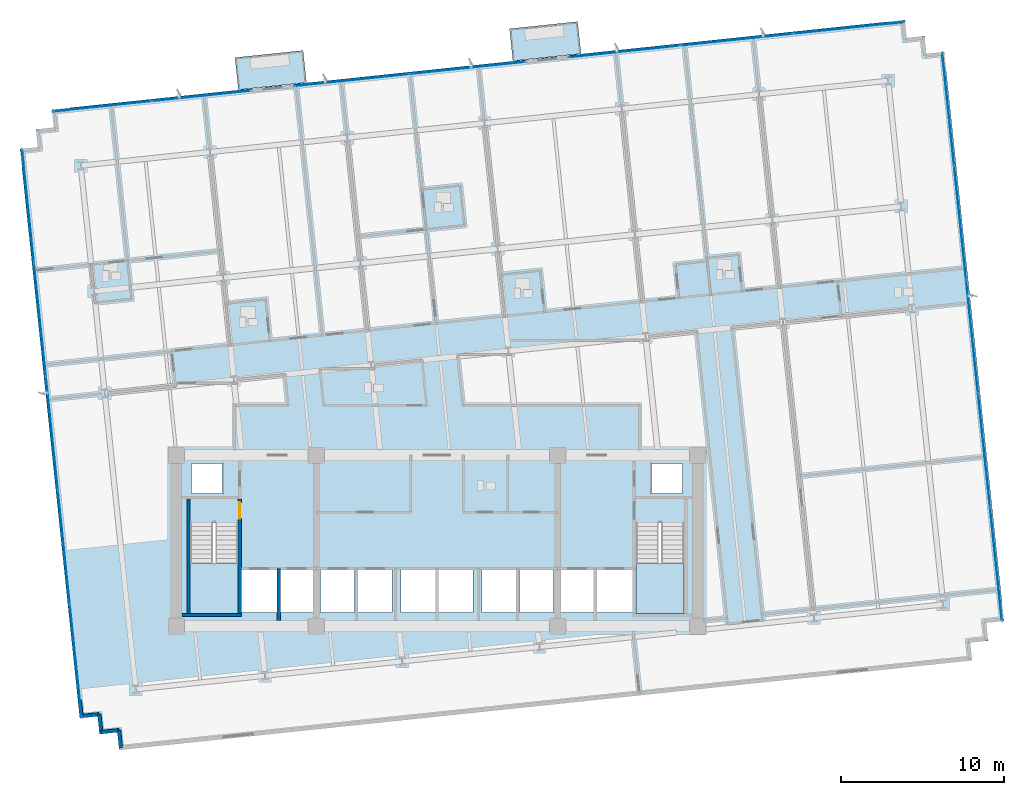
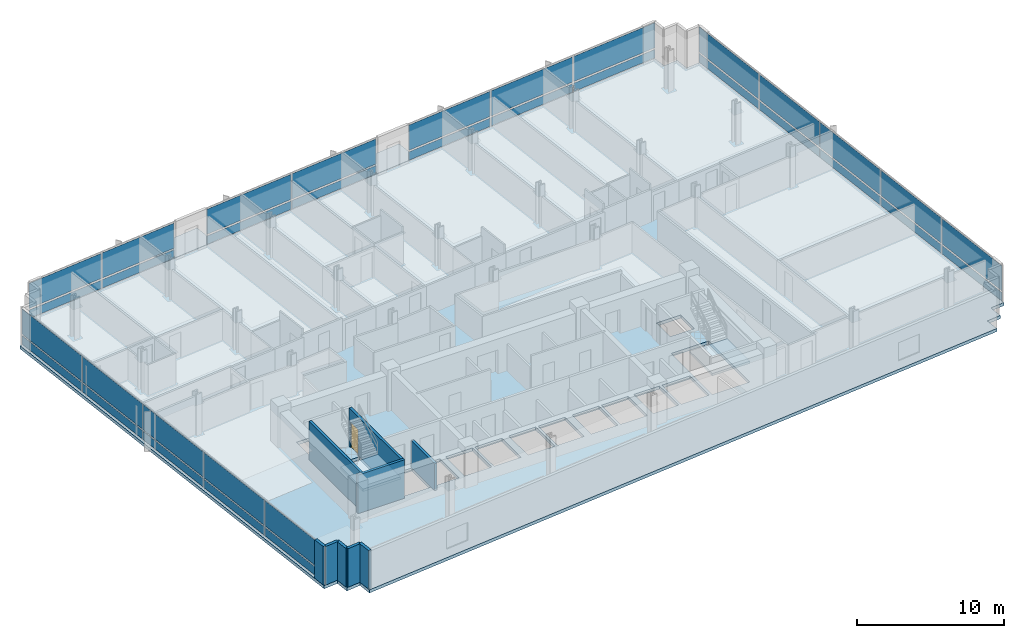
# One storey, part 9 of 19: 34 plates, 9 walls, 5 slabs, 1 door, 1 opening, 7 elements without a shape of their own.
"""IFC4 building model written with IfcOpenShell, lengths in metres."""

from ifc_helpers import new_model, si_unit, direction, frame, frame_2d, origin, origin_2d, place, context, subcontext, project, spatial, polyline, rectangle, outline, extrude, material, layer, layer_set, type_object, element, fill, aggregate, save


model = new_model("IFC4")

# Units and contexts
model_context = context("Model", 3, precision=1e-05, world=origin(), true_north=direction((0.0, 1.0)))
body_context = subcontext(model_context, "Body", "Model", "MODEL_VIEW")
ifc_project = project(units=[si_unit("LENGTHUNIT", "METRE"), si_unit("AREAUNIT", "SQUARE_METRE"), si_unit("VOLUMEUNIT", "CUBIC_METRE"), si_unit("PLANEANGLEUNIT", "RADIAN"), si_unit("MASSUNIT", "GRAM", prefix="KILO")], contexts=[model_context])

# Site, building, storey
site_placement = place(None, origin())
site = spatial("IfcSite", under=ifc_project, at=site_placement, CompositionType="ELEMENT")
building_placement = place(site_placement, origin())
building = spatial("IfcBuilding", under=site, at=building_placement, Name="Solmavex Isthmus Hotel", CompositionType="ELEMENT")
storey_placement = place(building_placement, frame((0.0, 0.0, 83.550048828125)))
storey = spatial("IfcBuildingStorey", under=building, at=storey_placement, Name="L22", CompositionType="ELEMENT", Elevation=83.550048828125)

# Curtain wall, plates
ifc_material_1 = material(Name="Aluminium alloy 6063-T6", Category="aluminium")
curtain_wall_type = type_object("IfcCurtainWallType", Name="CW-SYS-03", PredefinedType="NOTDEFINED", material=ifc_material_1)
curtain_wall_1_placement = place(storey_placement, origin())
curtain_wall_1 = element("IfcCurtainWall", 1, at=curtain_wall_1_placement, inside=storey, type_object=curtain_wall_type, Name="Stick Curtain Wall CWL-L22-N1", PredefinedType="NOTDEFINED")
ifc_material_2 = material(Name="Clear low-E laminated glass", Category="glass")
ifc_layer_1 = layer(ifc_material_2, 0.030029296875)
ifc_layer_set_1 = layer_set([ifc_layer_1], Name="Clear low-E laminated glass")
plate_type = type_object("IfcPlateType", Name="CW-SYS-03-PNL", PredefinedType="CURTAIN_PANEL", material=ifc_layer_set_1)
plate_1_placement = place(storey_placement, frame((-20.531982421875, 18.896728515625, 0.139892578125), z_axis=(0.0, 0.0, 1.0), x_axis=(0.994521931062, 0.104528123665, 0.0)))
plate_1 = element("IfcPlate", 2, at=plate_1_placement, type_object=plate_type, Name="CW-03 panel 1.1", PredefinedType="CURTAIN_PANEL", context=body_context, shape_type="SweptSolid", body=[
    extrude(rectangle(XDim=6.04541015625, YDim=0.030029296875, at=origin_2d()), origin(), (0.0, 0.0, 1.0), 0.68994140625),
])
plate_2_placement = place(storey_placement, frame((-20.531982421875, 18.896728515625, 0.969970703125), z_axis=(0.0, 0.0, 1.0), x_axis=(0.994521931062, 0.104528123665, 0.0)))
plate_2 = element("IfcPlate", 3, at=plate_2_placement, type_object=plate_type, Name="CW-03 panel 1.2", PredefinedType="CURTAIN_PANEL", context=body_context, shape_type="SweptSolid", body=[
    extrude(rectangle(XDim=6.04541015625, YDim=0.030029296875, at=origin_2d()), origin(), (0.0, 0.0, 1.0), 2.080078125),
])
plate_3_placement = place(storey_placement, frame((-14.449951171875, 19.535888671875, 0.139892578125), z_axis=(0.0, 0.0, 1.0), x_axis=(0.994521931062, 0.104528123665, 0.0)))
plate_3 = element("IfcPlate", 4, at=plate_3_placement, type_object=plate_type, Name="CW-03 panel 2.1", PredefinedType="CURTAIN_PANEL", context=body_context, shape_type="SweptSolid", body=[
    extrude(rectangle(XDim=6.04541015625, YDim=0.030029296875, at=origin_2d()), origin(), (0.0, 0.0, 1.0), 0.68994140625),
])
plate_4_placement = place(storey_placement, frame((-14.449951171875, 19.535888671875, 0.969970703125), z_axis=(0.0, 0.0, 1.0), x_axis=(0.994521931062, 0.104528123665, 0.0)))
plate_4 = element("IfcPlate", 5, at=plate_4_placement, type_object=plate_type, Name="CW-03 panel 2.2", PredefinedType="CURTAIN_PANEL", context=body_context, shape_type="SweptSolid", body=[
    extrude(rectangle(XDim=6.04541015625, YDim=0.030029296875, at=origin_2d()), origin(), (0.0, 0.0, 1.0), 2.080078125),
])
aggregate(curtain_wall_1, [plate_1, plate_2, plate_3, plate_4])

curtain_wall_2_placement = place(storey_placement, origin())
curtain_wall_2 = element("IfcCurtainWall", 6, at=curtain_wall_2_placement, inside=storey, type_object=curtain_wall_type, Name="Stick Curtain Wall CWL-L22-N2", PredefinedType="NOTDEFINED")
plate_5_placement = place(storey_placement, frame((-5.207763671875, 20.50732421875, 0.139892578125), z_axis=(0.0, 0.0, 1.0), x_axis=(0.994521911082, 0.104528313766, 0.0)))
plate_5 = element("IfcPlate", 7, at=plate_5_placement, type_object=plate_type, Name="CW-03 panel 1.1", PredefinedType="CURTAIN_PANEL", context=body_context, shape_type="SweptSolid", body=[
    extrude(rectangle(XDim=7.06103515625, YDim=0.030029296875, at=origin_2d()), origin(), (0.0, 0.0, 1.0), 0.68994140625),
])
plate_6_placement = place(storey_placement, frame((-5.207763671875, 20.50732421875, 0.969970703125), z_axis=(0.0, 0.0, 1.0), x_axis=(0.994521911082, 0.104528313766, 0.0)))
plate_6 = element("IfcPlate", 8, at=plate_6_placement, type_object=plate_type, Name="CW-03 panel 1.2", PredefinedType="CURTAIN_PANEL", context=body_context, shape_type="SweptSolid", body=[
    extrude(rectangle(XDim=7.06103515625, YDim=0.030029296875, at=origin_2d()), origin(), (0.0, 0.0, 1.0), 2.080078125),
])
plate_7_placement = place(storey_placement, frame((1.88427734375, 21.252685546875, 0.139892578125), z_axis=(0.0, 0.0, 1.0), x_axis=(0.994521911082, 0.104528313766, 0.0)))
plate_7 = element("IfcPlate", 9, at=plate_7_placement, type_object=plate_type, Name="CW-03 panel 2.1", PredefinedType="CURTAIN_PANEL", context=body_context, shape_type="SweptSolid", body=[
    extrude(rectangle(XDim=7.06103515625, YDim=0.030029296875, at=origin_2d()), origin(), (0.0, 0.0, 1.0), 0.68994140625),
])
plate_8_placement = place(storey_placement, frame((1.88427734375, 21.252685546875, 0.969970703125), z_axis=(0.0, 0.0, 1.0), x_axis=(0.994521911082, 0.104528313766, 0.0)))
plate_8 = element("IfcPlate", 10, at=plate_8_placement, type_object=plate_type, Name="CW-03 panel 2.2", PredefinedType="CURTAIN_PANEL", context=body_context, shape_type="SweptSolid", body=[
    extrude(rectangle(XDim=7.06103515625, YDim=0.030029296875, at=origin_2d()), origin(), (0.0, 0.0, 1.0), 2.080078125),
])
aggregate(curtain_wall_2, [plate_5, plate_6, plate_7, plate_8])

curtain_wall_3_placement = place(storey_placement, origin())
curtain_wall_3 = element("IfcCurtainWall", 11, at=curtain_wall_3_placement, inside=storey, type_object=curtain_wall_type, Name="Stick Curtain Wall CWL-L22-N3", PredefinedType="NOTDEFINED")
plate_9_placement = place(storey_placement, frame((11.510498046875, 22.264404296875, 0.139892578125), z_axis=(0.0, 0.0, 1.0), x_axis=(0.994521905105, 0.10452837063, 0.0)))
plate_9 = element("IfcPlate", 12, at=plate_9_placement, type_object=plate_type, Name="CW-03 panel 1.1", PredefinedType="CURTAIN_PANEL", context=body_context, shape_type="SweptSolid", body=[
    extrude(rectangle(XDim=6.8173828125, YDim=0.030029296875, at=origin_2d()), origin(), (0.0, 0.0, 1.0), 0.68994140625),
])
plate_10_placement = place(storey_placement, frame((11.510498046875, 22.264404296875, 0.969970703125), z_axis=(0.0, 0.0, 1.0), x_axis=(0.994521905105, 0.10452837063, 0.0)))
plate_10 = element("IfcPlate", 13, at=plate_10_placement, type_object=plate_type, Name="CW-03 panel 1.2", PredefinedType="CURTAIN_PANEL", context=body_context, shape_type="SweptSolid", body=[
    extrude(rectangle(XDim=6.8173828125, YDim=0.030029296875, at=origin_2d()), origin(), (0.0, 0.0, 1.0), 2.080078125),
])
plate_11_placement = place(storey_placement, frame((18.37744140625, 22.986083984375, 0.139892578125), z_axis=(0.0, 0.0, 1.0), x_axis=(0.994521905105, 0.10452837063, 0.0)))
plate_11 = element("IfcPlate", 14, at=plate_11_placement, type_object=plate_type, Name="CW-03 panel 2.1", PredefinedType="CURTAIN_PANEL", context=body_context, shape_type="SweptSolid", body=[
    extrude(rectangle(XDim=6.852294921875, YDim=0.030029296875, at=origin_2d()), origin(), (0.0, 0.0, 1.0), 0.68994140625),
])
plate_12_placement = place(storey_placement, frame((18.37744140625, 22.986083984375, 0.969970703125), z_axis=(0.0, 0.0, 1.0), x_axis=(0.994521905105, 0.10452837063, 0.0)))
plate_12 = element("IfcPlate", 15, at=plate_12_placement, type_object=plate_type, Name="CW-03 panel 2.2", PredefinedType="CURTAIN_PANEL", context=body_context, shape_type="SweptSolid", body=[
    extrude(rectangle(XDim=6.852294921875, YDim=0.030029296875, at=origin_2d()), origin(), (0.0, 0.0, 1.0), 2.080078125),
])
plate_13_placement = place(storey_placement, frame((25.244384765625, 23.7080078125, 0.139892578125), z_axis=(0.0, 0.0, 1.0), x_axis=(0.994521905105, 0.10452837063, 0.0)))
plate_13 = element("IfcPlate", 16, at=plate_13_placement, type_object=plate_type, Name="CW-03 panel 3.1", PredefinedType="CURTAIN_PANEL", context=body_context, shape_type="SweptSolid", body=[
    extrude(rectangle(XDim=6.8173828125, YDim=0.030029296875, at=origin_2d()), origin(), (0.0, 0.0, 1.0), 0.68994140625),
])
plate_14_placement = place(storey_placement, frame((25.244384765625, 23.7080078125, 0.969970703125), z_axis=(0.0, 0.0, 1.0), x_axis=(0.994521905105, 0.10452837063, 0.0)))
plate_14 = element("IfcPlate", 17, at=plate_14_placement, type_object=plate_type, Name="CW-03 panel 3.2", PredefinedType="CURTAIN_PANEL", context=body_context, shape_type="SweptSolid", body=[
    extrude(rectangle(XDim=6.8173828125, YDim=0.030029296875, at=origin_2d()), origin(), (0.0, 0.0, 1.0), 2.080078125),
])
aggregate(curtain_wall_3, [plate_9, plate_10, plate_11, plate_12, plate_13, plate_14])

curtain_wall_4_placement = place(storey_placement, origin())
curtain_wall_4 = element("IfcCurtainWall", 18, at=curtain_wall_4_placement, inside=storey, type_object=curtain_wall_type, Name="Stick Curtain Wall CWL-L22-W1", PredefinedType="NOTDEFINED")
plate_15_placement = place(storey_placement, frame((-22.15869140625, -15.1123046875, 0.139892578125), z_axis=(0.0, 0.0, 1.0), x_axis=(-0.104528485381, 0.994521893044, 0.0)))
plate_15 = element("IfcPlate", 19, at=plate_15_placement, type_object=plate_type, Name="CW-03 panel 1.1", PredefinedType="CURTAIN_PANEL", context=body_context, shape_type="SweptSolid", body=[
    extrude(rectangle(XDim=6.9150390625, YDim=0.030029296875, at=origin_2d()), origin(), (0.0, 0.0, 1.0), 0.68994140625),
])
plate_16_placement = place(storey_placement, frame((-22.15869140625, -15.1123046875, 0.969970703125), z_axis=(0.0, 0.0, 1.0), x_axis=(-0.104528485381, 0.994521893044, 0.0)))
plate_16 = element("IfcPlate", 20, at=plate_16_placement, type_object=plate_type, Name="CW-03 panel 1.2", PredefinedType="CURTAIN_PANEL", context=body_context, shape_type="SweptSolid", body=[
    extrude(rectangle(XDim=6.9150390625, YDim=0.030029296875, at=origin_2d()), origin(), (0.0, 0.0, 1.0), 2.080078125),
])
plate_17_placement = place(storey_placement, frame((-22.890625, -8.14794921875, 0.139892578125), z_axis=(0.0, 0.0, 1.0), x_axis=(-0.104528485381, 0.994521893044, 0.0)))
plate_17 = element("IfcPlate", 21, at=plate_17_placement, type_object=plate_type, Name="CW-03 panel 2.1", PredefinedType="CURTAIN_PANEL", context=body_context, shape_type="SweptSolid", body=[
    extrude(rectangle(XDim=6.949951171875, YDim=0.030029296875, at=origin_2d()), origin(), (0.0, 0.0, 1.0), 0.68994140625),
])
plate_18_placement = place(storey_placement, frame((-22.890625, -8.14794921875, 0.969970703125), z_axis=(0.0, 0.0, 1.0), x_axis=(-0.104528485381, 0.994521893044, 0.0)))
plate_18 = element("IfcPlate", 22, at=plate_18_placement, type_object=plate_type, Name="CW-03 panel 2.2", PredefinedType="CURTAIN_PANEL", context=body_context, shape_type="SweptSolid", body=[
    extrude(rectangle(XDim=6.949951171875, YDim=0.030029296875, at=origin_2d()), origin(), (0.0, 0.0, 1.0), 2.080078125),
])
plate_19_placement = place(storey_placement, frame((-23.62451171875, -1.16650390625, 0.139892578125), z_axis=(0.0, 0.0, 1.0), x_axis=(-0.104528485381, 0.994521893044, 0.0)))
plate_19 = element("IfcPlate", 23, at=plate_19_placement, type_object=plate_type, Name="CW-03 panel 3.1", PredefinedType="CURTAIN_PANEL", context=body_context, shape_type="SweptSolid", body=[
    extrude(rectangle(XDim=6.949951171875, YDim=0.030029296875, at=origin_2d()), origin(), (0.0, 0.0, 1.0), 0.68994140625),
])
plate_20_placement = place(storey_placement, frame((-23.62451171875, -1.16650390625, 0.969970703125), z_axis=(0.0, 0.0, 1.0), x_axis=(-0.104528485381, 0.994521893044, 0.0)))
plate_20 = element("IfcPlate", 24, at=plate_20_placement, type_object=plate_type, Name="CW-03 panel 3.2", PredefinedType="CURTAIN_PANEL", context=body_context, shape_type="SweptSolid", body=[
    extrude(rectangle(XDim=6.949951171875, YDim=0.030029296875, at=origin_2d()), origin(), (0.0, 0.0, 1.0), 2.080078125),
])
plate_21_placement = place(storey_placement, frame((-24.3583984375, 5.81494140625, 0.139892578125), z_axis=(0.0, 0.0, 1.0), x_axis=(-0.104528485381, 0.994521893044, 0.0)))
plate_21 = element("IfcPlate", 25, at=plate_21_placement, type_object=plate_type, Name="CW-03 panel 4.1", PredefinedType="CURTAIN_PANEL", context=body_context, shape_type="SweptSolid", body=[
    extrude(rectangle(XDim=6.949951171875, YDim=0.030029296875, at=origin_2d()), origin(), (0.0, 0.0, 1.0), 0.68994140625),
])
plate_22_placement = place(storey_placement, frame((-24.3583984375, 5.81494140625, 0.969970703125), z_axis=(0.0, 0.0, 1.0), x_axis=(-0.104528485381, 0.994521893044, 0.0)))
plate_22 = element("IfcPlate", 26, at=plate_22_placement, type_object=plate_type, Name="CW-03 panel 4.2", PredefinedType="CURTAIN_PANEL", context=body_context, shape_type="SweptSolid", body=[
    extrude(rectangle(XDim=6.949951171875, YDim=0.030029296875, at=origin_2d()), origin(), (0.0, 0.0, 1.0), 2.080078125),
])
plate_23_placement = place(storey_placement, frame((-25.09033203125, 12.779052734375, 0.139892578125), z_axis=(0.0, 0.0, 1.0), x_axis=(-0.104528485381, 0.994521893044, 0.0)))
plate_23 = element("IfcPlate", 27, at=plate_23_placement, type_object=plate_type, Name="CW-03 panel 5.1", PredefinedType="CURTAIN_PANEL", context=body_context, shape_type="SweptSolid", body=[
    extrude(rectangle(XDim=6.9150390625, YDim=0.030029296875, at=origin_2d()), origin(), (0.0, 0.0, 1.0), 0.68994140625),
])
plate_24_placement = place(storey_placement, frame((-25.09033203125, 12.779052734375, 0.969970703125), z_axis=(0.0, 0.0, 1.0), x_axis=(-0.104528485381, 0.994521893044, 0.0)))
plate_24 = element("IfcPlate", 28, at=plate_24_placement, type_object=plate_type, Name="CW-03 panel 5.2", PredefinedType="CURTAIN_PANEL", context=body_context, shape_type="SweptSolid", body=[
    extrude(rectangle(XDim=6.9150390625, YDim=0.030029296875, at=origin_2d()), origin(), (0.0, 0.0, 1.0), 2.080078125),
])
aggregate(curtain_wall_4, [plate_15, plate_16, plate_17, plate_18, plate_19, plate_20, plate_21, plate_22, plate_23, plate_24])

curtain_wall_5_placement = place(storey_placement, origin())
curtain_wall_5 = element("IfcCurtainWall", 29, at=curtain_wall_5_placement, inside=storey, type_object=curtain_wall_type, Name="Stick Curtain Wall CWL-L22-E1", PredefinedType="NOTDEFINED")
plate_25_placement = place(storey_placement, frame((34.290283203125, -9.17919921875, 0.139892578125), z_axis=(0.0, 0.0, 1.0), x_axis=(-0.104528485381, 0.994521893044, 0.0)))
plate_25 = element("IfcPlate", 30, at=plate_25_placement, type_object=plate_type, Name="CW-03 panel 1.1", PredefinedType="CURTAIN_PANEL", context=body_context, shape_type="SweptSolid", body=[
    extrude(rectangle(XDim=6.9150390625, YDim=0.030029296875, at=origin_2d()), origin(), (0.0, 0.0, 1.0), 0.68994140625),
])
plate_26_placement = place(storey_placement, frame((34.290283203125, -9.17919921875, 0.969970703125), z_axis=(0.0, 0.0, 1.0), x_axis=(-0.104528485381, 0.994521893044, 0.0)))
plate_26 = element("IfcPlate", 31, at=plate_26_placement, type_object=plate_type, Name="CW-03 panel 1.2", PredefinedType="CURTAIN_PANEL", context=body_context, shape_type="SweptSolid", body=[
    extrude(rectangle(XDim=6.9150390625, YDim=0.030029296875, at=origin_2d()), origin(), (0.0, 0.0, 1.0), 2.080078125),
])
plate_27_placement = place(storey_placement, frame((33.558349609375, -2.215087890625, 0.139892578125), z_axis=(0.0, 0.0, 1.0), x_axis=(-0.104528485381, 0.994521893044, 0.0)))
plate_27 = element("IfcPlate", 32, at=plate_27_placement, type_object=plate_type, Name="CW-03 panel 2.1", PredefinedType="CURTAIN_PANEL", context=body_context, shape_type="SweptSolid", body=[
    extrude(rectangle(XDim=6.949951171875, YDim=0.030029296875, at=origin_2d()), origin(), (0.0, 0.0, 1.0), 0.68994140625),
])
plate_28_placement = place(storey_placement, frame((33.558349609375, -2.215087890625, 0.969970703125), z_axis=(0.0, 0.0, 1.0), x_axis=(-0.104528485381, 0.994521893044, 0.0)))
plate_28 = element("IfcPlate", 33, at=plate_28_placement, type_object=plate_type, Name="CW-03 panel 2.2", PredefinedType="CURTAIN_PANEL", context=body_context, shape_type="SweptSolid", body=[
    extrude(rectangle(XDim=6.949951171875, YDim=0.030029296875, at=origin_2d()), origin(), (0.0, 0.0, 1.0), 2.080078125),
])
plate_29_placement = place(storey_placement, frame((32.824462890625, 4.7666015625, 0.139892578125), z_axis=(0.0, 0.0, 1.0), x_axis=(-0.104528485381, 0.994521893044, 0.0)))
plate_29 = element("IfcPlate", 34, at=plate_29_placement, type_object=plate_type, Name="CW-03 panel 3.1", PredefinedType="CURTAIN_PANEL", context=body_context, shape_type="SweptSolid", body=[
    extrude(rectangle(XDim=6.949951171875, YDim=0.030029296875, at=origin_2d()), origin(), (0.0, 0.0, 1.0), 0.68994140625),
])
plate_30_placement = place(storey_placement, frame((32.824462890625, 4.7666015625, 0.969970703125), z_axis=(0.0, 0.0, 1.0), x_axis=(-0.104528485381, 0.994521893044, 0.0)))
plate_30 = element("IfcPlate", 35, at=plate_30_placement, type_object=plate_type, Name="CW-03 panel 3.2", PredefinedType="CURTAIN_PANEL", context=body_context, shape_type="SweptSolid", body=[
    extrude(rectangle(XDim=6.949951171875, YDim=0.030029296875, at=origin_2d()), origin(), (0.0, 0.0, 1.0), 2.080078125),
])
plate_31_placement = place(storey_placement, frame((32.0908203125, 11.748046875, 0.139892578125), z_axis=(0.0, 0.0, 1.0), x_axis=(-0.104528485381, 0.994521893044, 0.0)))
plate_31 = element("IfcPlate", 36, at=plate_31_placement, type_object=plate_type, Name="CW-03 panel 4.1", PredefinedType="CURTAIN_PANEL", context=body_context, shape_type="SweptSolid", body=[
    extrude(rectangle(XDim=6.949951171875, YDim=0.030029296875, at=origin_2d()), origin(), (0.0, 0.0, 1.0), 0.68994140625),
])
plate_32_placement = place(storey_placement, frame((32.0908203125, 11.748046875, 0.969970703125), z_axis=(0.0, 0.0, 1.0), x_axis=(-0.104528485381, 0.994521893044, 0.0)))
plate_32 = element("IfcPlate", 37, at=plate_32_placement, type_object=plate_type, Name="CW-03 panel 4.2", PredefinedType="CURTAIN_PANEL", context=body_context, shape_type="SweptSolid", body=[
    extrude(rectangle(XDim=6.949951171875, YDim=0.030029296875, at=origin_2d()), origin(), (0.0, 0.0, 1.0), 2.080078125),
])
plate_33_placement = place(storey_placement, frame((31.35888671875, 18.712158203125, 0.139892578125), z_axis=(0.0, 0.0, 1.0), x_axis=(-0.104528485381, 0.994521893044, 0.0)))
plate_33 = element("IfcPlate", 38, at=plate_33_placement, type_object=plate_type, Name="CW-03 panel 5.1", PredefinedType="CURTAIN_PANEL", context=body_context, shape_type="SweptSolid", body=[
    extrude(rectangle(XDim=6.9150390625, YDim=0.030029296875, at=origin_2d()), origin(), (0.0, 0.0, 1.0), 0.68994140625),
])
plate_34_placement = place(storey_placement, frame((31.35888671875, 18.712158203125, 0.969970703125), z_axis=(0.0, 0.0, 1.0), x_axis=(-0.104528485381, 0.994521893044, 0.0)))
plate_34 = element("IfcPlate", 39, at=plate_34_placement, type_object=plate_type, Name="CW-03 panel 5.2", PredefinedType="CURTAIN_PANEL", context=body_context, shape_type="SweptSolid", body=[
    extrude(rectangle(XDim=6.9150390625, YDim=0.030029296875, at=origin_2d()), origin(), (0.0, 0.0, 1.0), 2.080078125),
])
aggregate(curtain_wall_5, [plate_25, plate_26, plate_27, plate_28, plate_29, plate_30, plate_31, plate_32, plate_33, plate_34])

# Slabs
ifc_material_3 = material(Name="Concrete C40/50", Category="concrete")
ifc_layer_2 = layer(ifc_material_3, 0.239990234375)
ifc_layer_set_2 = layer_set([ifc_layer_2], Name="Concrete C40/50")
slab_type_1 = type_object("IfcSlabType", Name="SLAB-BALC-240", PredefinedType="FLOOR", material=ifc_layer_set_2)
slab_1_placement = place(storey_placement, frame((0.0, 0.0, -0.239990234375)))
element("IfcSlab", 40, at=slab_1_placement, inside=storey, type_object=slab_type_1, Name="Tree-Planter Balcony Slab L22-B1", PredefinedType="FLOOR", context=body_context, shape_type="SweptSolid", body=[
    extrude(outline(polyline([(-12.183837890625, 19.909912109375), (-8.0068359375, 20.348876953125), (-8.21435546875, 22.322998046875), (-12.391357421875, 21.884033203125), (-12.183837890625, 19.909912109375)])), origin(), (0.0, 0.0, 1.0), 0.239990234375),
])
slab_2_placement = place(storey_placement, frame((0.0, 0.0, -0.239990234375)))
element("IfcSlab", 41, at=slab_2_placement, inside=storey, type_object=slab_type_1, Name="Tree-Planter Balcony Slab L22-B2", PredefinedType="FLOOR", context=body_context, shape_type="SweptSolid", body=[
    extrude(outline(polyline([(4.6552734375, 21.6796875), (8.832275390625, 22.11865234375), (8.624755859375, 24.0927734375), (4.44775390625, 23.65380859375), (4.6552734375, 21.6796875)])), origin(), (0.0, 0.0, 1.0), 0.239990234375),
])
ifc_layer_3 = layer(ifc_material_3, 0.260009765625)
ifc_layer_set_3 = layer_set([ifc_layer_3], Name="Concrete C40/50")
slab_type_2 = type_object("IfcSlabType", Name="SLAB-TYP-260", PredefinedType="FLOOR", material=ifc_layer_set_3)
slab_3_placement = place(storey_placement, frame((0.0, 0.0, -0.260009765625)))
element("IfcSlab", 42, at=slab_3_placement, inside=storey, type_object=slab_type_2, Name="Tower Structural Floor Slab L22", PredefinedType="FLOOR", context=body_context, shape_type="SweptSolid", body=[
    extrude(outline(polyline([(-18.3974609375, -20.475830078125), (31.726318359375, -15.207763671875), (32.8203125, -15.0927734375), (32.705322265625, -13.998779296875), (33.79931640625, -13.8837890625), (33.684326171875, -12.789794921875), (34.7783203125, -12.6748046875), (34.663330078125, -11.580810546875), (31.224365234375, 21.138916015625), (31.109375, 22.23291015625), (30.015380859375, 22.117919921875), (29.900390625, 23.2119140625), (28.806396484375, 23.096923828125), (28.69140625, 24.19091796875), (27.597412109375, 24.075927734375), (-22.5263671875, 18.8076171875), (-23.620361328125, 18.692626953125), (-23.50537109375, 17.5986328125), (-24.599365234375, 17.483642578125), (-24.484375, 16.389892578125), (-25.578369140625, 16.27490234375), (-25.46337890625, 15.180908203125), (-22.0244140625, -17.5390625), (-21.909423828125, -18.6328125), (-20.8154296875, -18.517822265625), (-20.700439453125, -19.61181640625), (-19.6064453125, -19.496826171875), (-19.491455078125, -20.5908203125), (-18.3974609375, -20.475830078125)]), holes=[polyline([(-15.14990234375, -6.617919921875), (-15.14990234375, -12.199951171875), (-12.199951171875, -12.199951171875), (-12.199951171875, -6.617919921875), (-15.14990234375, -6.617919921875)]), polyline([(12.199951171875, -6.617919921875), (12.199951171875, -12.199951171875), (15.14990234375, -12.199951171875), (15.14990234375, -6.617919921875), (12.199951171875, -6.617919921875)]), polyline([(-12.0, -12.14990234375), (-9.800048828125, -12.14990234375), (-9.800048828125, -9.550048828125), (-12.0, -9.550048828125), (-12.0, -12.14990234375)]), polyline([(9.800048828125, -12.14990234375), (12.0, -12.14990234375), (12.0, -9.550048828125), (9.800048828125, -9.550048828125), (9.800048828125, -12.14990234375)]), polyline([(-9.60009765625, -12.14990234375), (-7.60009765625, -12.14990234375), (-7.60009765625, -9.550048828125), (-9.60009765625, -9.550048828125), (-9.60009765625, -12.14990234375)]), polyline([(7.60009765625, -12.14990234375), (9.60009765625, -12.14990234375), (9.60009765625, -9.550048828125), (7.60009765625, -9.550048828125), (7.60009765625, -12.14990234375)]), polyline([(-7.14990234375, -12.14990234375), (-5.050048828125, -12.14990234375), (-5.050048828125, -9.550048828125), (-7.14990234375, -9.550048828125), (-7.14990234375, -12.14990234375)]), polyline([(-4.85009765625, -12.14990234375), (-2.75, -12.14990234375), (-2.75, -9.550048828125), (-4.85009765625, -9.550048828125), (-4.85009765625, -12.14990234375)]), polyline([(-2.199951171875, -12.14990234375), (-0.10009765625, -12.14990234375), (-0.10009765625, -9.550048828125), (-2.199951171875, -9.550048828125), (-2.199951171875, -12.14990234375)]), polyline([(0.10009765625, -12.14990234375), (2.199951171875, -12.14990234375), (2.199951171875, -9.550048828125), (0.10009765625, -9.550048828125), (0.10009765625, -12.14990234375)]), polyline([(2.75, -12.14990234375), (4.85009765625, -12.14990234375), (4.85009765625, -9.550048828125), (2.75, -9.550048828125), (2.75, -12.14990234375)]), polyline([(5.050048828125, -12.14990234375), (7.14990234375, -12.14990234375), (7.14990234375, -9.550048828125), (5.050048828125, -9.550048828125), (5.050048828125, -12.14990234375)]), polyline([(-15.050048828125, -4.85009765625), (-13.14990234375, -4.85009765625), (-13.14990234375, -3.0), (-15.050048828125, -3.0), (-15.050048828125, -4.85009765625)]), polyline([(13.14990234375, -4.85009765625), (15.050048828125, -4.85009765625), (15.050048828125, -3.0), (13.14990234375, -3.0), (13.14990234375, -4.85009765625)])]), origin(), (0.0, 0.0, 1.0), 0.260009765625),
])

# Stair, slab
stair_type_1 = type_object("IfcStairType", Name="STR-ST-1", PredefinedType="HALF_TURN_STAIR", material=ifc_material_3)
stair_1_placement = place(storey_placement, origin())
stair_1 = element("IfcStair", 43, at=stair_1_placement, inside=storey, type_object=stair_type_1, Name="L22 Protected Exit Stair ST-1", PredefinedType="HALF_TURN_STAIR")
ifc_layer_4 = layer(ifc_material_3, 0.219970703125)
ifc_layer_set_4 = layer_set([ifc_layer_4], Name="Concrete C40/50")
slab_type_3 = type_object("IfcSlabType", Name="SLD-ST-1", PredefinedType="LANDING", material=ifc_layer_set_4)
slab_4_placement = place(storey_placement, frame((0.0, 0.0, 1.52490234375)))
slab_4 = element("IfcSlab", 44, at=slab_4_placement, type_object=slab_type_3, Name="ST-1 landing 1", PredefinedType="LANDING", context=body_context, shape_type="SweptSolid", body=[
    extrude(outline(polyline([(-15.14990234375, -9.1201171875), (-15.14990234375, -12.199951171875), (-12.199951171875, -12.199951171875), (-12.199951171875, -9.1201171875), (-15.14990234375, -9.1201171875)])), origin(), (0.0, 0.0, 1.0), 0.199951171875),
])
aggregate(stair_1, [slab_4])

stair_type_2 = type_object("IfcStairType", Name="STR-ST-2", PredefinedType="HALF_TURN_STAIR", material=ifc_material_3)
stair_2_placement = place(storey_placement, origin())
stair_2 = element("IfcStair", 45, at=stair_2_placement, inside=storey, type_object=stair_type_2, Name="L22 Protected Exit Stair ST-2", PredefinedType="HALF_TURN_STAIR")
ifc_layer_5 = layer(ifc_material_3, 0.219970703125)
ifc_layer_set_5 = layer_set([ifc_layer_5], Name="Concrete C40/50")
slab_type_4 = type_object("IfcSlabType", Name="SLD-ST-2", PredefinedType="LANDING", material=ifc_layer_set_5)
slab_5_placement = place(storey_placement, frame((0.0, 0.0, 1.52490234375)))
slab_5 = element("IfcSlab", 46, at=slab_5_placement, type_object=slab_type_4, Name="ST-2 landing 1", PredefinedType="LANDING", context=body_context, shape_type="SweptSolid", body=[
    extrude(outline(polyline([(12.199951171875, -9.1201171875), (12.199951171875, -12.199951171875), (15.14990234375, -12.199951171875), (15.14990234375, -9.1201171875), (12.199951171875, -9.1201171875)])), origin(), (0.0, 0.0, 1.0), 0.199951171875),
])
aggregate(stair_2, [slab_5])

# Walls
ifc_material_4 = material(Name="Precast Concrete C40/50", Category="concrete")
ifc_layer_6 = layer(ifc_material_4, 0.25)
ifc_layer_set_6 = layer_set([ifc_layer_6], Name="Precast Concrete C40/50")
wall_type_1 = type_object("IfcWallType", Name="EW-TWR-250", PredefinedType="STANDARD", material=ifc_layer_set_6)
for number, where, z_axis, x_axis, name in (
    (47, (-19.3935546875, -20.469970703125, 0.0), (0.0, 0.0, 1.0), (-0.104534592565, 0.994521251134, 0.0), "Serrated Corner Facade Panel L22-01"),
    (48, (-19.508544921875, -19.3759765625, 0.0), (0.0, 0.0, 1.0), (-0.994521251134, -0.104534592565, 0.0), "Serrated Corner Facade Panel L22-02"),
    (49, (-20.6025390625, -19.490966796875, 0.0), (0.0, 0.0, 1.0), (-0.104534592565, 0.994521251134, 0.0), "Serrated Corner Facade Panel L22-03"),
    (50, (-20.717529296875, -18.39697265625, 0.0), (0.0, 0.0, 1.0), (-0.994521251134, -0.104534592565, 0.0), "Serrated Corner Facade Panel L22-04"),
):
    element("IfcWall", number, at=place(storey_placement, frame(where, z_axis=z_axis, x_axis=x_axis)), inside=storey, type_object=wall_type_1, Name=name, PredefinedType="STANDARD", context=body_context, shape_type="SweptSolid", body=[
        extrude(rectangle(XDim=1.10009765625, YDim=0.219970703125, at=frame_2d((0.550048828125, 0.0))), origin(), (0.0, 0.0, 1.0), 3.18994140625),
    ])
wall_1_placement = place(storey_placement, frame((-21.8115234375, -18.511962890625, 0.0), z_axis=(0.0, 0.0, 1.0), x_axis=(-0.104556418955, 0.99451895671, 0.0)))
element("IfcWall", 51, at=wall_1_placement, inside=storey, type_object=wall_type_1, Name="Serrated Corner Facade Panel L22-05", PredefinedType="STANDARD", context=body_context, shape_type="SweptSolid", body=[
    extrude(rectangle(XDim=0.989990234375, YDim=0.219970703125, at=frame_2d((0.4951171875, 0.0))), origin(), (0.0, 0.0, 1.0), 3.18994140625),
])
ifc_layer_7 = layer(ifc_material_3, 0.199951171875)
ifc_layer_set_7 = layer_set([ifc_layer_7], Name="Concrete C40/50")
wall_type_2 = type_object("IfcWallType", Name="IW-SHAFT-200", PredefinedType="PARTITIONING", material=ifc_layer_set_7)
wall_2_placement = place(storey_placement, frame((-9.699951171875, -12.64990234375, 0.0), z_axis=(0.0, 0.0, 1.0), x_axis=(0.0, 1.0, 0.0)))
element("IfcWall", 52, at=wall_2_placement, inside=storey, type_object=wall_type_2, Name="Interior Partition Wall W-L22-FFLW-M", PredefinedType="PARTITIONING", context=body_context, shape_type="SweptSolid", body=[
    extrude(rectangle(XDim=3.199951171875, YDim=0.199951171875, at=frame_2d((1.60009765625, 0.0))), origin(), (0.0, 0.0, 1.0), 2.224853515625),
])
ifc_layer_8 = layer(ifc_material_3, 0.199951171875)
ifc_layer_set_8 = layer_set([ifc_layer_8], Name="Concrete C40/50")
wall_type_3 = type_object("IfcWallType", Name="WALL-SW-200", PredefinedType="SOLIDWALL", material=ifc_layer_set_8)
wall_3_placement = place(storey_placement, frame((-15.64990234375, -12.300048828125, 0.0), z_axis=(0.0, 0.0, 1.0), x_axis=(1.0, 0.0, 0.0)))
element("IfcWall", 53, at=wall_3_placement, inside=storey, type_object=wall_type_3, Name="Stairwell Structural Wall SW-L22-ST1-S", PredefinedType="SOLIDWALL", context=body_context, shape_type="SweptSolid", body=[
    extrude(rectangle(XDim=3.64990234375, YDim=0.199951171875, at=frame_2d((1.824951171875, 0.0))), origin(), (0.0, 0.0, 1.0), 3.18994140625),
])
wall_4_placement = place(storey_placement, frame((-15.25, -12.199951171875, 0.0), z_axis=(0.0, 0.0, 1.0), x_axis=(0.0, 1.0, 0.0)))
element("IfcWall", 54, at=wall_4_placement, inside=storey, type_object=wall_type_3, Name="Stairwell Structural Wall SW-L22-ST1-W", PredefinedType="SOLIDWALL", context=body_context, shape_type="SweptSolid", body=[
    extrude(rectangle(XDim=7.0, YDim=0.199951171875, at=frame_2d((3.5, 0.0))), origin(), (0.0, 0.0, 1.0), 3.18994140625),
])

# Wall, opening, door
wall_5_placement = place(storey_placement, frame((-12.10009765625, -12.199951171875, 0.0), z_axis=(0.0, 0.0, 1.0), x_axis=(0.0, 1.0, 0.0)))
wall_5 = element("IfcWall", 55, at=wall_5_placement, inside=storey, type_object=wall_type_3, Name="Stairwell Structural Wall SW-L22-ST1-E", PredefinedType="SOLIDWALL", context=body_context, shape_type="SweptSolid", body=[
    extrude(rectangle(XDim=7.0, YDim=0.199951171875, at=frame_2d((3.5, 0.0))), origin(), (0.0, 0.0, 1.0), 3.18994140625),
])
opening_placement = place(wall_5_placement, frame((5.800048828125, 0.0, 0.0)))
opening = element("IfcOpeningElement", 56, at=opening_placement, cuts=wall_5, Name="Opening ID-F100", PredefinedType="OPENING", context=body_context, shape_type="SweptSolid", body=[
    extrude(rectangle(XDim=1.0, YDim=2.10009765625, at=frame_2d((0.5, 1.050048828125))), frame((0.0, 0.10986328125, 0.0), z_axis=(0.0, -1.0, 0.0), x_axis=(1.0, 0.0, 0.0)), (0.0, 0.0, 1.0), 0.219970703125),
])
ifc_material_5 = material(Name="Steel ASTM A500 Grade C", Category="steel")
door_type = type_object("IfcDoorType", Name="IDR-FD90-1000", OperationType="NOTDEFINED", PredefinedType="DOOR", material=ifc_material_5)
door_placement = place(opening_placement, frame((1.0, 0.0, 0.0), z_axis=(0.0, 0.0, 1.0), x_axis=(-1.0, 0.0, 0.0)))
door = element("IfcDoor", 57, at=door_placement, inside=storey, type_object=door_type, Name="Stair ST-1 Fire Door L22", OperationType="SINGLE_SWING_LEFT", OverallHeight=2.10009765625, OverallWidth=1.0, PredefinedType="DOOR", context=body_context, shape_type="SweptSolid", body=[
    extrude(rectangle(XDim=1.0, YDim=2.10009765625, at=frame_2d((0.5, 1.050048828125))), frame((0.0, 0.02490234375, 0.0), z_axis=(0.0, -1.0, 0.0), x_axis=(1.0, 0.0, 0.0)), (0.0, 0.0, 1.0), 0.050048828125),
])
fill(opening, door)

save(model, "model.ifc")
